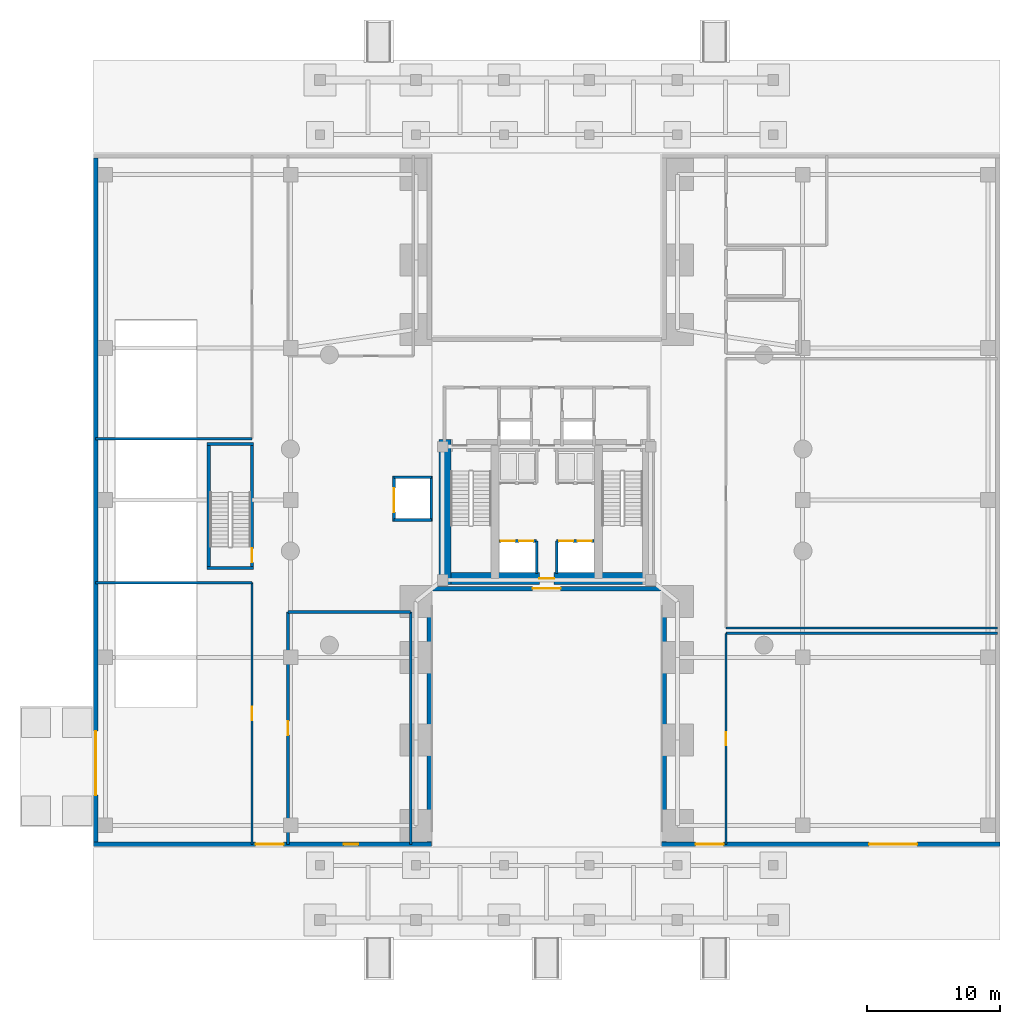
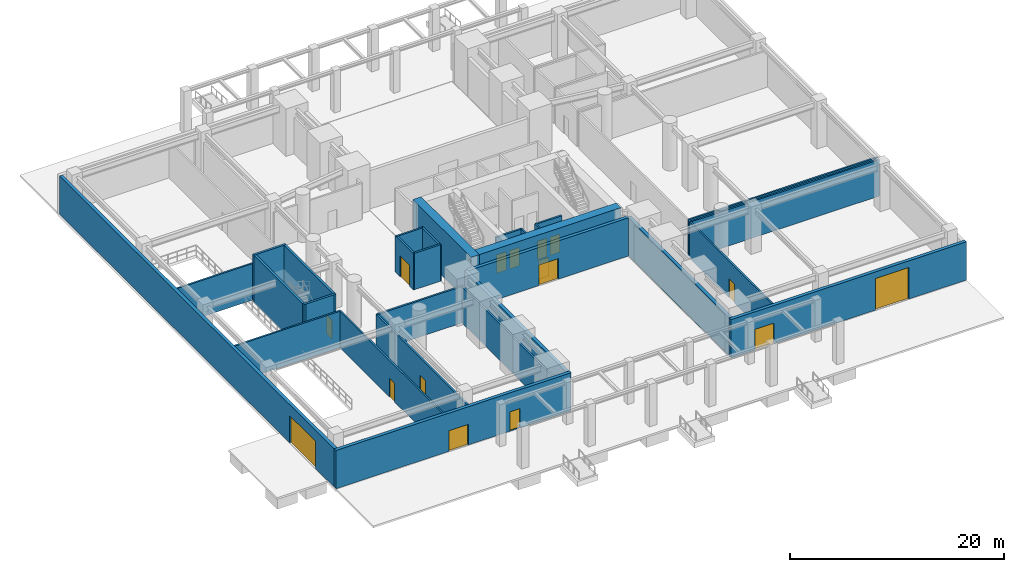
# One storey, part 4 of 11: 29 walls, 16 doors, 16 openings.
"""IFC4 building model written with IfcOpenShell, lengths in metres."""

from ifc_helpers import new_model, si_unit, direction, frame, frame_2d, origin, place, context, subcontext, project, spatial, rectangle, extrude, material, layer, layer_set, type_object, element, fill, save


model = new_model("IFC4")

# Units and contexts
model_context = context("Model", 3, precision=1e-05, world=origin(), true_north=direction((0.0, 1.0)))
body_context = subcontext(model_context, "Body", "Model", "MODEL_VIEW")
ifc_project = project(units=[si_unit("LENGTHUNIT", "METRE"), si_unit("AREAUNIT", "SQUARE_METRE"), si_unit("VOLUMEUNIT", "CUBIC_METRE"), si_unit("PLANEANGLEUNIT", "RADIAN"), si_unit("MASSUNIT", "GRAM", prefix="KILO"), si_unit("THERMODYNAMICTEMPERATUREUNIT", "KELVIN"), si_unit("POWERUNIT", "WATT")], contexts=[model_context])

# Site, building, storey
site_placement = place(None, origin())
site = spatial("IfcSite", under=ifc_project, at=site_placement, CompositionType="ELEMENT")
building_placement = place(site_placement, origin())
building = spatial("IfcBuilding", under=site, at=building_placement, Name="Ocrelia Relay Tower", CompositionType="ELEMENT")
storey_placement = place(building_placement, origin())
storey = spatial("IfcBuildingStorey", under=building, at=storey_placement, Name="L00", CompositionType="ELEMENT", Elevation=0.0)

# Wall, opening, door
ifc_material_1 = material(Name="Concrete C70/85", Category="concrete")
ifc_layer_1 = layer(ifc_material_1, 0.89990234375, Name="Concrete C70/85")
ifc_layer_set_1 = layer_set([ifc_layer_1], Name="Concrete C70/85")
wall_type_1 = type_object("IfcWallType", Name="CW-CORE-900", PredefinedType="SHEAR", material=ifc_layer_set_1)
wall_1_placement = place(storey_placement, frame((25.922119140625, 20.112060546875, 0.0), z_axis=(0.0, 0.0, 1.0), x_axis=(1.0, 0.0, 0.0)))
wall_1 = element("IfcWall", 1, at=wall_1_placement, inside=storey, type_object=wall_type_1, Name="L00 Core Shear Wall S", PredefinedType="SHEAR", context=body_context, shape_type="SweptSolid", body=[
    extrude(rectangle(XDim=16.165771484375, YDim=0.89990234375, at=frame_2d((8.0830078125, 0.0))), origin(), (0.0, 0.0, 1.0), 5.39990234375),
])
opening_1_placement = place(wall_1_placement, frame((7.528076171875, 0.0, 0.0)))
opening_1 = element("IfcOpeningElement", 2, at=opening_1_placement, cuts=wall_1, Name="Opening D-FD60", PredefinedType="OPENING", context=body_context, shape_type="SweptSolid", body=[
    extrude(rectangle(XDim=1.10009765625, YDim=2.14990234375, at=frame_2d((0.550048828125, 1.074951171875))), frame((0.0, 0.4599609375, 0.0), z_axis=(0.0, -1.0, 0.0), x_axis=(1.0, 0.0, 0.0)), (0.0, 0.0, 1.0), 0.919921875),
])
ifc_material_2 = material(Name="Timber-core 60-min acoustic fire door", Category="wood")
door_type_1 = type_object("IfcDoorType", Name="DR-LOBBY-FD60-1100", OperationType="NOTDEFINED", PredefinedType="DOOR", material=ifc_material_2)
door_1_placement = place(opening_1_placement, origin())
door_1 = element("IfcDoor", 3, at=door_1_placement, inside=storey, type_object=door_type_1, Name="L00 Core Lift Lobby South Fire Door", OperationType="SINGLE_SWING_LEFT", OverallHeight=2.14990234375, OverallWidth=1.10009765625, PredefinedType="DOOR", context=body_context, shape_type="SweptSolid", body=[
    extrude(rectangle(XDim=1.10009765625, YDim=2.14990234375, at=frame_2d((0.550048828125, 1.074951171875))), frame((0.0, 0.02490234375, 0.0), z_axis=(0.0, -1.0, 0.0), x_axis=(1.0, 0.0, 0.0)), (0.0, 0.0, 1.0), 0.050048828125),
])
fill(opening_1, door_1)

# Walls
wall_2_placement = place(storey_placement, frame((26.3720703125, 19.662109375, 0.0), z_axis=(0.0, 0.0, 1.0), x_axis=(0.0, 1.0, 0.0)))
element("IfcWall", 4, at=wall_2_placement, inside=storey, type_object=wall_type_1, Name="L00 Core Shear Wall W", PredefinedType="SHEAR", context=body_context, shape_type="SweptSolid", body=[
    extrude(rectangle(XDim=10.8759765625, YDim=0.89990234375, at=frame_2d((5.43798828125, 0.0))), origin(), (0.0, 0.0, 1.0), 5.39990234375),
])
ifc_material_3 = material(Name="Concrete C50/60", Category="concrete")
ifc_layer_2 = layer(ifc_material_3, 0.239990234375, Name="Concrete C50/60")
ifc_layer_set_2 = layer_set([ifc_layer_2], Name="Concrete C50/60")
wall_type_2 = type_object("IfcWallType", Name="CW-STAIR-240", PredefinedType="SHEAR", material=ifc_layer_set_2)
for number, where, z_axis, x_axis, name in (
    (5, (8.531982421875, 20.89208984375, 0.0), (0.0, 0.0, 1.0), (1.0, 0.0, 0.0), "L00 Stair ST3 Structural Shaft S Wall"),
    (6, (8.531982421875, 30.2080078125, 0.0), (0.0, 0.0, 1.0), (1.0, 0.0, 0.0), "L00 Stair ST3 Structural Shaft N Wall"),
):
    element("IfcWall", number, at=place(storey_placement, frame(where, z_axis=z_axis, x_axis=x_axis)), inside=storey, type_object=wall_type_2, Name=name, PredefinedType="SHEAR", context=body_context, shape_type="SweptSolid", body=[
        extrude(rectangle(XDim=3.49609375, YDim=0.239990234375, at=frame_2d((1.748046875, 0.0))), origin(), (0.0, 0.0, 1.0), 5.39990234375),
    ])
wall_3_placement = place(storey_placement, frame((8.652099609375, 20.77197265625, 0.0), z_axis=(0.0, 0.0, 1.0), x_axis=(0.0, 1.0, 0.0)))
element("IfcWall", 7, at=wall_3_placement, inside=storey, type_object=wall_type_2, Name="L00 Stair ST3 Structural Shaft W Wall", PredefinedType="SHEAR", context=body_context, shape_type="SweptSolid", body=[
    extrude(rectangle(XDim=9.555908203125, YDim=0.239990234375, at=frame_2d((4.77783203125, 0.0))), origin(), (0.0, 0.0, 1.0), 5.39990234375),
])

# Wall, opening, door
wall_4_placement = place(storey_placement, frame((11.907958984375, 20.77197265625, 0.0), z_axis=(0.0, 0.0, 1.0), x_axis=(0.0, 1.0, 0.0)))
wall_4 = element("IfcWall", 8, at=wall_4_placement, inside=storey, type_object=wall_type_2, Name="L00 Stair ST3 Structural Shaft E Wall", PredefinedType="SHEAR", context=body_context, shape_type="SweptSolid", body=[
    extrude(rectangle(XDim=9.555908203125, YDim=0.239990234375, at=frame_2d((4.77783203125, 0.0))), origin(), (0.0, 0.0, 1.0), 5.39990234375),
])
opening_2_placement = place(wall_4_placement, frame((0.550048828125, 0.0, 0.0)))
opening_2 = element("IfcOpeningElement", 9, at=opening_2_placement, cuts=wall_4, Name="Opening D-FD90", PredefinedType="OPENING", context=body_context, shape_type="SweptSolid", body=[
    extrude(rectangle(XDim=1.050048828125, YDim=2.14990234375, at=frame_2d((0.52490234375, 1.074951171875))), frame((0.0, 0.1298828125, 0.0), z_axis=(0.0, -1.0, 0.0), x_axis=(1.0, 0.0, 0.0)), (0.0, 0.0, 1.0), 0.260009765625),
])
ifc_material_4 = material(Name="Steel S355 90-min fire door", Category="steel")
door_type_2 = type_object("IfcDoorType", Name="DR-STAIR-FD90-1050", OperationType="NOTDEFINED", PredefinedType="DOOR", material=ifc_material_4)
door_2_placement = place(opening_2_placement, origin())
door_2 = element("IfcDoor", 10, at=door_2_placement, inside=storey, type_object=door_type_2, Name="L00 Stair ST3 Fire Door", OperationType="SINGLE_SWING_LEFT", OverallHeight=2.14990234375, OverallWidth=1.050048828125, PredefinedType="DOOR", context=body_context, shape_type="SweptSolid", body=[
    extrude(rectangle(XDim=1.050048828125, YDim=2.14990234375, at=frame_2d((0.52490234375, 1.074951171875))), frame((0.0, 0.02490234375, 0.0), z_axis=(0.0, -1.0, 0.0), x_axis=(1.0, 0.0, 0.0)), (0.0, 0.0, 1.0), 0.050048828125),
])
fill(opening_2, door_2)

ifc_material_5 = material(Name="Gypsum Fireboard Partition EI60", Category="gypsum")
ifc_layer_3 = layer(ifc_material_5, 0.179931640625, Name="Gypsum Fireboard Partition EI60")
ifc_layer_set_3 = layer_set([ifc_layer_3], Name="Gypsum Fireboard Partition EI60")
wall_type_3 = type_object("IfcWallType", Name="W-CORR-EI60-180", PredefinedType="PARTITIONING", material=ifc_layer_set_3)
wall_5_placement = place(storey_placement, frame((11.89990234375, 0.179931640625, 0.0), z_axis=(0.0, 0.0, 1.0), x_axis=(0.0, 1.0, 0.0)))
wall_5 = element("IfcWall", 11, at=wall_5_placement, inside=storey, type_object=wall_type_3, Name="L00 South Carrier Fiber Meet-Me Hall E Partition", PredefinedType="PARTITIONING", context=body_context, shape_type="SweptSolid", body=[
    extrude(rectangle(XDim=19.6201171875, YDim=0.179931640625, at=frame_2d((9.81005859375, 0.0))), origin(), (0.0, 0.0, 1.0), 4.159912109375),
])
opening_3_placement = place(wall_5_placement, frame((9.31005859375, 0.0, 0.0)))
opening_3 = element("IfcOpeningElement", 12, at=opening_3_placement, cuts=wall_5, Name="Opening D-RM100", PredefinedType="OPENING", context=body_context, shape_type="SweptSolid", body=[
    extrude(rectangle(XDim=1.0, YDim=2.14990234375, at=frame_2d((0.5, 1.074951171875))), frame((0.0, 0.10009765625, 0.0), z_axis=(0.0, -1.0, 0.0), x_axis=(1.0, 0.0, 0.0)), (0.0, 0.0, 1.0), 0.199951171875),
])
ifc_material_6 = material(Name="Acoustic oak veneer fire door", Category="wood")
door_type_3 = type_object("IfcDoorType", Name="DR-ROOM-FD60-1000", OperationType="NOTDEFINED", PredefinedType="DOOR", material=ifc_material_6)
door_3_placement = place(opening_3_placement, origin())
door_3 = element("IfcDoor", 13, at=door_3_placement, inside=storey, type_object=door_type_3, Name="L00 South Carrier Fiber Meet-Me Hall Door", OperationType="SINGLE_SWING_LEFT", OverallHeight=2.14990234375, OverallWidth=1.0, PredefinedType="DOOR", context=body_context, shape_type="SweptSolid", body=[
    extrude(rectangle(XDim=1.0, YDim=2.14990234375, at=frame_2d((0.5, 1.074951171875))), frame((0.0, 0.02490234375, 0.0), z_axis=(0.0, -1.0, 0.0), x_axis=(1.0, 0.0, 0.0)), (0.0, 0.0, 1.0), 0.050048828125),
])
fill(opening_3, door_3)

# Walls
for number, where, z_axis, x_axis, name in (
    (14, (11.89990234375, 19.800048828125, 0.0), (0.0, 0.0, 1.0), (-1.0, 0.0, 0.0), "L00 South Carrier Fiber Meet-Me Hall N Partition"),
    (15, (0.179931640625, 30.60009765625, 0.0), (0.0, 0.0, 1.0), (1.0, 0.0, 0.0), "L00 Security Screening Reception S Partition"),
):
    element("IfcWall", number, at=place(storey_placement, frame(where, z_axis=z_axis, x_axis=x_axis)), inside=storey, type_object=wall_type_3, Name=name, PredefinedType="PARTITIONING", context=body_context, shape_type="SweptSolid", body=[
        extrude(rectangle(XDim=11.719970703125, YDim=0.179931640625, at=frame_2d((5.85986328125, 0.0))), origin(), (0.0, 0.0, 1.0), 4.159912109375),
    ])

# Wall, opening, door
wall_6_placement = place(storey_placement, frame((47.449951171875, 16.0, 0.0), z_axis=(0.0, 0.0, 1.0), x_axis=(0.0, -1.0, 0.0)))
wall_6 = element("IfcWall", 16, at=wall_6_placement, inside=storey, type_object=wall_type_3, Name="L00 Loading Dock and Equipment Receiving Bay W Partition", PredefinedType="PARTITIONING", context=body_context, shape_type="SweptSolid", body=[
    extrude(rectangle(XDim=15.820068359375, YDim=0.179931640625, at=frame_2d((7.91015625, 0.0))), origin(), (0.0, 0.0, 1.0), 4.159912109375),
])
opening_4_placement = place(wall_6_placement, frame((7.409912109375, 0.0, 0.0)))
opening_4 = element("IfcOpeningElement", 17, at=opening_4_placement, cuts=wall_6, Name="Opening D-RM100", PredefinedType="OPENING", context=body_context, shape_type="SweptSolid", body=[
    extrude(rectangle(XDim=1.0, YDim=2.14990234375, at=frame_2d((0.5, 1.074951171875))), frame((0.0, 0.10009765625, 0.0), z_axis=(0.0, -1.0, 0.0), x_axis=(1.0, 0.0, 0.0)), (0.0, 0.0, 1.0), 0.199951171875),
])
door_4_placement = place(opening_4_placement, origin())
door_4 = element("IfcDoor", 18, at=door_4_placement, inside=storey, type_object=door_type_3, Name="L00 Loading Dock and Equipment Receiving Bay Door", OperationType="SINGLE_SWING_RIGHT", OverallHeight=2.14990234375, OverallWidth=1.0, PredefinedType="DOOR", context=body_context, shape_type="SweptSolid", body=[
    extrude(rectangle(XDim=1.0, YDim=2.14990234375, at=frame_2d((0.5, 1.074951171875))), frame((0.0, 0.02490234375, 0.0), z_axis=(0.0, -1.0, 0.0), x_axis=(1.0, 0.0, 0.0)), (0.0, 0.0, 1.0), 0.050048828125),
])
fill(opening_4, door_4)

# Walls
for number, where, z_axis, x_axis, name in (
    (19, (67.820068359375, 16.0, 0.0), (0.0, 0.0, 1.0), (-1.0, 0.0, 0.0), "L00 Loading Dock and Equipment Receiving Bay N Partition"),
    (20, (47.449951171875, 16.39990234375, 0.0), (0.0, 0.0, 1.0), (1.0, 0.0, 0.0), "L00 North Carrier Optical Hall S Partition"),
):
    element("IfcWall", number, at=place(storey_placement, frame(where, z_axis=z_axis, x_axis=x_axis)), inside=storey, type_object=wall_type_3, Name=name, PredefinedType="PARTITIONING", context=body_context, shape_type="SweptSolid", body=[
        extrude(rectangle(XDim=20.3701171875, YDim=0.179931640625, at=frame_2d((10.18505859375, 0.0))), origin(), (0.0, 0.0, 1.0), 4.159912109375),
    ])

# Wall, openings, doors
ifc_material_7 = material(Name="Precast concrete C40/50 with oxide terracotta", Category="masonry")
ifc_layer_4 = layer(ifc_material_7, 0.35009765625, Name="Precast concrete C40/50 with oxide terracotta")
ifc_layer_set_4 = layer_set([ifc_layer_4], Name="Precast concrete C40/50 with oxide terracotta")
wall_type_4 = type_object("IfcWallType", Name="W-EXT-POD-350", PredefinedType="SOLIDWALL", material=ifc_layer_set_4)
wall_7_placement = place(storey_placement, frame((25.3798828125, 0.179931640625, 0.0), z_axis=(0.0, 0.0, 1.0), x_axis=(-1.0, 0.0, 0.0)))
wall_7 = element("IfcWall", 21, at=wall_7_placement, inside=storey, type_object=wall_type_4, Name="L00 Oxide Terracotta Podium Wall WS", PredefinedType="SOLIDWALL", context=body_context, shape_type="SweptSolid", body=[
    extrude(rectangle(XDim=25.369873046875, YDim=0.35009765625, at=frame_2d((12.68505859375, 0.0))), origin(), (0.0, 0.0, 1.0), 4.360107421875),
])
opening_5_placement = place(wall_7_placement, frame((11.10009765625, 0.0, 0.0)))
opening_5 = element("IfcOpeningElement", 22, at=opening_5_placement, cuts=wall_7, Name="Opening ED-01", PredefinedType="OPENING", context=body_context, shape_type="SweptSolid", body=[
    extrude(rectangle(XDim=2.10009765625, YDim=2.35009765625, at=frame_2d((1.050048828125, 1.175048828125))), frame((0.0, 0.18505859375, 0.0), z_axis=(0.0, -1.0, 0.0), x_axis=(1.0, 0.0, 0.0)), (0.0, 0.0, 1.0), 0.3701171875),
])
opening_6_placement = place(wall_7_placement, frame((5.5, 0.0, 0.0)))
opening_6 = element("IfcOpeningElement", 23, at=opening_6_placement, cuts=wall_7, Name="Opening ED-FCR", PredefinedType="OPENING", context=body_context, shape_type="SweptSolid", body=[
    extrude(rectangle(XDim=1.10009765625, YDim=2.199951171875, at=frame_2d((0.550048828125, 1.10009765625))), frame((0.0, 0.18505859375, 0.0), z_axis=(0.0, -1.0, 0.0), x_axis=(1.0, 0.0, 0.0)), (0.0, 0.0, 1.0), 0.3701171875),
])
ifc_material_8 = material(Name="Anodised bronze aluminium and safety glass", Category="aluminium")
door_type_4 = type_object("IfcDoorType", Name="DR-EXT-EXIT-2100", OperationType="DOUBLE_DOOR_SINGLE_SWING", PredefinedType="DOOR", material=ifc_material_8)
door_5_placement = place(opening_5_placement, origin())
door_5 = element("IfcDoor", 24, at=door_5_placement, inside=storey, type_object=door_type_4, Name="Ground South-West Pedestrian Final Exit Door ED-01", OperationType="DOUBLE_DOOR_SINGLE_SWING", OverallHeight=2.35009765625, OverallWidth=2.10009765625, PredefinedType="DOOR", context=body_context, shape_type="SweptSolid", body=[
    extrude(rectangle(XDim=2.10009765625, YDim=2.35009765625, at=frame_2d((1.050048828125, 1.175048828125))), frame((0.0, 0.02490234375, 0.0), z_axis=(0.0, -1.0, 0.0), x_axis=(1.0, 0.0, 0.0)), (0.0, 0.0, 1.0), 0.050048828125),
])
fill(opening_5, door_5)
ifc_material_9 = material(Name="Painted galvanised steel fire door", Category="steel")
door_type_5 = type_object("IfcDoorType", Name="DR-EXT-FCR-1100", OperationType="NOTDEFINED", PredefinedType="DOOR", material=ifc_material_9)
door_6_placement = place(opening_6_placement, origin())
door_6 = element("IfcDoor", 25, at=door_6_placement, inside=storey, type_object=door_type_5, Name="Fire Command Room Street Access Door", OperationType="SINGLE_SWING_RIGHT", OverallHeight=2.199951171875, OverallWidth=1.10009765625, PredefinedType="DOOR", context=body_context, shape_type="SweptSolid", body=[
    extrude(rectangle(XDim=1.10009765625, YDim=2.199951171875, at=frame_2d((0.550048828125, 1.10009765625))), frame((0.0, 0.02490234375, 0.0), z_axis=(0.0, -1.0, 0.0), x_axis=(1.0, 0.0, 0.0)), (0.0, 0.0, 1.0), 0.050048828125),
])
fill(opening_6, door_6)

# Wall, opening, door
wall_8_placement = place(storey_placement, frame((0.179931640625, 0.360107421875, 0.0), z_axis=(0.0, 0.0, 1.0), x_axis=(0.0, 1.0, 0.0)))
wall_8 = element("IfcWall", 26, at=wall_8_placement, inside=storey, type_object=wall_type_4, Name="L00 Oxide Terracotta Podium Wall WW", PredefinedType="SOLIDWALL", context=body_context, shape_type="SweptSolid", body=[
    extrude(rectangle(XDim=51.27978515625, YDim=0.35009765625, at=frame_2d((25.639892578125, 0.0))), origin(), (0.0, 0.0, 1.0), 4.360107421875),
])
opening_7_placement = place(wall_8_placement, frame((3.5, 0.0, 0.0)))
opening_7 = element("IfcOpeningElement", 27, at=opening_7_placement, cuts=wall_8, Name="Opening VG-01", PredefinedType="OPENING", context=body_context, shape_type="SweptSolid", body=[
    extrude(rectangle(XDim=4.800048828125, YDim=3.10009765625, at=frame_2d((2.39990234375, 1.550048828125))), frame((0.0, 0.18505859375, 0.0), z_axis=(0.0, -1.0, 0.0), x_axis=(1.0, 0.0, 0.0)), (0.0, 0.0, 1.0), 0.3701171875),
])
ifc_material_10 = material(Name="Perforated aluminium vehicle security grille", Category="aluminium")
door_type_6 = type_object("IfcDoorType", Name="DR-RAMP-GATE", OperationType="ROLLINGUP", PredefinedType="GATE", material=ifc_material_10)
door_7_placement = place(opening_7_placement, origin())
door_7 = element("IfcDoor", 28, at=door_7_placement, inside=storey, type_object=door_type_6, Name="Basement Car Park Vehicle Ramp Portal Gate", OperationType="ROLLINGUP", OverallHeight=3.10009765625, OverallWidth=4.800048828125, PredefinedType="GATE", context=body_context, shape_type="SweptSolid", body=[
    extrude(rectangle(XDim=4.800048828125, YDim=3.10009765625, at=frame_2d((2.39990234375, 1.550048828125))), frame((0.0, 0.02490234375, 0.0), z_axis=(0.0, -1.0, 0.0), x_axis=(1.0, 0.0, 0.0)), (0.0, 0.0, 1.0), 0.050048828125),
])
fill(opening_7, door_7)

# Wall, openings, doors
wall_9_placement = place(storey_placement, frame((67.989990234375, 0.179931640625, 0.0), z_axis=(0.0, 0.0, 1.0), x_axis=(-1.0, 0.0, 0.0)))
wall_9 = element("IfcWall", 29, at=wall_9_placement, inside=storey, type_object=wall_type_4, Name="L00 Oxide Terracotta Podium Wall ES", PredefinedType="SOLIDWALL", context=body_context, shape_type="SweptSolid", body=[
    extrude(rectangle(XDim=25.369873046875, YDim=0.35009765625, at=frame_2d((12.68505859375, 0.0))), origin(), (0.0, 0.0, 1.0), 4.360107421875),
])
opening_8_placement = place(wall_9_placement, frame((20.719970703125, 0.0, 0.0)))
opening_8 = element("IfcOpeningElement", 30, at=opening_8_placement, cuts=wall_9, Name="Opening ED-04", PredefinedType="OPENING", context=body_context, shape_type="SweptSolid", body=[
    extrude(rectangle(XDim=2.10009765625, YDim=2.35009765625, at=frame_2d((1.050048828125, 1.175048828125))), frame((0.0, 0.18505859375, 0.0), z_axis=(0.0, -1.0, 0.0), x_axis=(1.0, 0.0, 0.0)), (0.0, 0.0, 1.0), 0.3701171875),
])
opening_9_placement = place(wall_9_placement, frame((6.199951171875, 0.0, 0.0)))
opening_9 = element("IfcOpeningElement", 31, at=opening_9_placement, cuts=wall_9, Name="Opening DSH-01", PredefinedType="OPENING", context=body_context, shape_type="SweptSolid", body=[
    extrude(rectangle(XDim=3.60009765625, YDim=3.60009765625, at=frame_2d((1.800048828125, 1.800048828125))), frame((0.0, 0.18505859375, 0.0), z_axis=(0.0, -1.0, 0.0), x_axis=(1.0, 0.0, 0.0)), (0.0, 0.0, 1.0), 0.3701171875),
])
ifc_material_11 = material(Name="Insulated galvanised steel roller shutter", Category="steel")
door_type_7 = type_object("IfcDoorType", Name="DR-DOCK-SHUTTER", OperationType="ROLLINGUP", PredefinedType="DOOR", material=ifc_material_11)
door_8_placement = place(opening_9_placement, origin())
door_8 = element("IfcDoor", 32, at=door_8_placement, inside=storey, type_object=door_type_7, Name="Loading Dock Overhead Roller Shutter", OperationType="ROLLINGUP", OverallHeight=3.60009765625, OverallWidth=3.60009765625, PredefinedType="DOOR", context=body_context, shape_type="SweptSolid", body=[
    extrude(rectangle(XDim=3.60009765625, YDim=3.60009765625, at=frame_2d((1.800048828125, 1.800048828125))), frame((0.0, 0.02490234375, 0.0), z_axis=(0.0, -1.0, 0.0), x_axis=(1.0, 0.0, 0.0)), (0.0, 0.0, 1.0), 0.050048828125),
])
fill(opening_9, door_8)
door_9_placement = place(opening_8_placement, origin())
door_9 = element("IfcDoor", 33, at=door_9_placement, inside=storey, type_object=door_type_4, Name="Ground South-East Pedestrian Final Exit Door ED-04", OperationType="DOUBLE_DOOR_SINGLE_SWING", OverallHeight=2.35009765625, OverallWidth=2.10009765625, PredefinedType="DOOR", context=body_context, shape_type="SweptSolid", body=[
    extrude(rectangle(XDim=2.10009765625, YDim=2.35009765625, at=frame_2d((1.050048828125, 1.175048828125))), frame((0.0, 0.02490234375, 0.0), z_axis=(0.0, -1.0, 0.0), x_axis=(1.0, 0.0, 0.0)), (0.0, 0.0, 1.0), 0.050048828125),
])
fill(opening_8, door_9)

# Walls
for number, where, z_axis, x_axis, name in (
    (34, (25.199951171875, 19.35009765625, 0.0), (0.0, 0.0, 1.0), (0.0, -1.0, 0.0), "L00 Oxide Terracotta Podium Wall AWS"),
    (35, (42.800048828125, 0.360107421875, 0.0), (0.0, 0.0, 1.0), (0.0, 1.0, 0.0), "L00 Oxide Terracotta Podium Wall AES"),
):
    element("IfcWall", number, at=place(storey_placement, frame(where, z_axis=z_axis, x_axis=x_axis)), inside=storey, type_object=wall_type_4, Name=name, PredefinedType="SOLIDWALL", context=body_context, shape_type="SweptSolid", body=[
        extrude(rectangle(XDim=18.989990234375, YDim=0.35009765625, at=frame_2d((9.4951171875, 0.0))), origin(), (0.0, 0.0, 1.0), 4.360107421875),
    ])

# Wall, opening, door
wall_10_placement = place(storey_placement, frame((42.6201171875, 19.35009765625, 0.0), z_axis=(0.0, 0.0, 1.0), x_axis=(-1.0, 0.0, 0.0)))
wall_10 = element("IfcWall", 36, at=wall_10_placement, inside=storey, type_object=wall_type_4, Name="L00 Oxide Terracotta Podium Wall CS", PredefinedType="SOLIDWALL", context=body_context, shape_type="SweptSolid", body=[
    extrude(rectangle(XDim=17.240234375, YDim=0.35009765625, at=frame_2d((8.6201171875, 0.0))), origin(), (0.0, 0.0, 1.0), 4.360107421875),
])
opening_10_placement = place(wall_10_placement, frame((7.570068359375, 0.0, 0.0)))
opening_10 = element("IfcOpeningElement", 37, at=opening_10_placement, cuts=wall_10, Name="Opening ED-02", PredefinedType="OPENING", context=body_context, shape_type="SweptSolid", body=[
    extrude(rectangle(XDim=2.10009765625, YDim=2.35009765625, at=frame_2d((1.050048828125, 1.175048828125))), frame((0.0, 0.18505859375, 0.0), z_axis=(0.0, -1.0, 0.0), x_axis=(1.0, 0.0, 0.0)), (0.0, 0.0, 1.0), 0.3701171875),
])
door_10_placement = place(opening_10_placement, origin())
door_10 = element("IfcDoor", 38, at=door_10_placement, inside=storey, type_object=door_type_4, Name="Portal Arch South Lobby Final Exit Door ED-02", OperationType="DOUBLE_DOOR_SINGLE_SWING", OverallHeight=2.35009765625, OverallWidth=2.10009765625, PredefinedType="DOOR", context=body_context, shape_type="SweptSolid", body=[
    extrude(rectangle(XDim=2.10009765625, YDim=2.35009765625, at=frame_2d((1.050048828125, 1.175048828125))), frame((0.0, 0.02490234375, 0.0), z_axis=(0.0, -1.0, 0.0), x_axis=(1.0, 0.0, 0.0)), (0.0, 0.0, 1.0), 0.050048828125),
])
fill(opening_10, door_10)

# Wall, openings, doors
ifc_layer_5 = layer(ifc_material_3, 0.199951171875, Name="Concrete C50/60")
ifc_layer_set_5 = layer_set([ifc_layer_5], Name="Concrete C50/60")
wall_type_5 = type_object("IfcWallType", Name="W-SHAFT-EI120-200", PredefinedType="SOLIDWALL", material=ifc_layer_set_5)
wall_11_placement = place(storey_placement, frame((30.43994140625, 22.919921875, 0.0), z_axis=(0.0, 0.0, 1.0), x_axis=(1.0, 0.0, 0.0)))
wall_11 = element("IfcWall", 39, at=wall_11_placement, inside=storey, type_object=wall_type_5, Name="L00 Low-Rise Lift Hoistway Wall W", PredefinedType="SOLIDWALL", context=body_context, shape_type="SweptSolid", body=[
    extrude(rectangle(XDim=2.81005859375, YDim=0.199951171875, at=frame_2d((1.405029296875, 0.0))), origin(), (0.0, 0.0, 1.0), 4.159912109375),
])
opening_11_placement = place(wall_11_placement, frame((0.1201171875, 0.0, 0.0)))
opening_11 = element("IfcOpeningElement", 40, at=opening_11_placement, cuts=wall_11, Name="Opening LD-PL1", PredefinedType="OPENING", context=body_context, shape_type="SweptSolid", body=[
    extrude(rectangle(XDim=1.050048828125, YDim=2.10009765625, at=frame_2d((0.52490234375, 1.050048828125))), frame((0.0, 0.10986328125, 0.0), z_axis=(0.0, -1.0, 0.0), x_axis=(1.0, 0.0, 0.0)), (0.0, 0.0, 1.0), 0.219970703125),
])
opening_12_placement = place(wall_11_placement, frame((1.5, 0.0, 0.0)))
opening_12 = element("IfcOpeningElement", 41, at=opening_12_placement, cuts=wall_11, Name="Opening LD-PL2", PredefinedType="OPENING", context=body_context, shape_type="SweptSolid", body=[
    extrude(rectangle(XDim=1.050048828125, YDim=2.10009765625, at=frame_2d((0.52490234375, 1.050048828125))), frame((0.0, 0.10986328125, 0.0), z_axis=(0.0, -1.0, 0.0), x_axis=(1.0, 0.0, 0.0)), (0.0, 0.0, 1.0), 0.219970703125),
])
ifc_material_12 = material(Name="Brushed stainless steel S355 lift landing door", Category="steel")
door_type_8 = type_object("IfcDoorType", Name="DR-LIFT-LAND-1050", OperationType="DOUBLE_DOOR_SLIDING", PredefinedType="USERDEFINED", material=ifc_material_12)
door_11_placement = place(opening_11_placement, origin())
door_11 = element("IfcDoor", 42, at=door_11_placement, inside=storey, type_object=door_type_8, Name="L00 Passenger Lift PL1 Sliding Landing Door", ObjectType="LANDING DOOR", OperationType="DOUBLE_DOOR_SLIDING", OverallHeight=2.10009765625, OverallWidth=1.050048828125, PredefinedType="USERDEFINED", context=body_context, shape_type="SweptSolid", body=[
    extrude(rectangle(XDim=1.050048828125, YDim=2.10009765625, at=frame_2d((0.52490234375, 1.050048828125))), frame((0.0, 0.02490234375, 0.0), z_axis=(0.0, -1.0, 0.0), x_axis=(1.0, 0.0, 0.0)), (0.0, 0.0, 1.0), 0.050048828125),
])
fill(opening_11, door_11)
door_12_placement = place(opening_12_placement, origin())
door_12 = element("IfcDoor", 43, at=door_12_placement, inside=storey, type_object=door_type_8, Name="L00 Passenger Lift PL2 Sliding Landing Door", ObjectType="LANDING DOOR", OperationType="DOUBLE_DOOR_SLIDING", OverallHeight=2.10009765625, OverallWidth=1.050048828125, PredefinedType="USERDEFINED", context=body_context, shape_type="SweptSolid", body=[
    extrude(rectangle(XDim=1.050048828125, YDim=2.10009765625, at=frame_2d((0.52490234375, 1.050048828125))), frame((0.0, 0.02490234375, 0.0), z_axis=(0.0, -1.0, 0.0), x_axis=(1.0, 0.0, 0.0)), (0.0, 0.0, 1.0), 0.050048828125),
])
fill(opening_12, door_12)

# Wall
wall_12_placement = place(storey_placement, frame((33.25, 20.5, 0.0), z_axis=(0.0, 0.0, 1.0), x_axis=(0.0, 1.0, 0.0)))
element("IfcWall", 44, at=wall_12_placement, inside=storey, type_object=wall_type_5, Name="L00 Low-Rise Lift Throat Wall W", PredefinedType="SOLIDWALL", context=body_context, shape_type="SweptSolid", body=[
    extrude(rectangle(XDim=2.419921875, YDim=0.179931640625, at=frame_2d((1.2099609375, 0.0))), origin(), (0.0, 0.0, 1.0), 4.159912109375),
])

# Wall, openings, doors
wall_13_placement = place(storey_placement, frame((34.75, 22.919921875, 0.0), z_axis=(0.0, 0.0, 1.0), x_axis=(1.0, 0.0, 0.0)))
wall_13 = element("IfcWall", 45, at=wall_13_placement, inside=storey, type_object=wall_type_5, Name="L00 Low-Rise Lift Hoistway Wall E", PredefinedType="SOLIDWALL", context=body_context, shape_type="SweptSolid", body=[
    extrude(rectangle(XDim=2.81005859375, YDim=0.199951171875, at=frame_2d((1.405029296875, 0.0))), origin(), (0.0, 0.0, 1.0), 4.159912109375),
])
opening_13_placement = place(wall_13_placement, frame((0.18994140625, 0.0, 0.0)))
opening_13 = element("IfcOpeningElement", 46, at=opening_13_placement, cuts=wall_13, Name="Opening LD-PL3", PredefinedType="OPENING", context=body_context, shape_type="SweptSolid", body=[
    extrude(rectangle(XDim=1.050048828125, YDim=2.10009765625, at=frame_2d((0.52490234375, 1.050048828125))), frame((0.0, 0.10986328125, 0.0), z_axis=(0.0, -1.0, 0.0), x_axis=(1.0, 0.0, 0.0)), (0.0, 0.0, 1.0), 0.219970703125),
])
opening_14_placement = place(wall_13_placement, frame((1.570068359375, 0.0, 0.0)))
opening_14 = element("IfcOpeningElement", 47, at=opening_14_placement, cuts=wall_13, Name="Opening LD-PL4", PredefinedType="OPENING", context=body_context, shape_type="SweptSolid", body=[
    extrude(rectangle(XDim=1.050048828125, YDim=2.10009765625, at=frame_2d((0.52490234375, 1.050048828125))), frame((0.0, 0.10986328125, 0.0), z_axis=(0.0, -1.0, 0.0), x_axis=(1.0, 0.0, 0.0)), (0.0, 0.0, 1.0), 0.219970703125),
])
door_13_placement = place(opening_13_placement, origin())
door_13 = element("IfcDoor", 48, at=door_13_placement, inside=storey, type_object=door_type_8, Name="L00 Passenger Lift PL3 Sliding Landing Door", ObjectType="LANDING DOOR", OperationType="DOUBLE_DOOR_SLIDING", OverallHeight=2.10009765625, OverallWidth=1.050048828125, PredefinedType="USERDEFINED", context=body_context, shape_type="SweptSolid", body=[
    extrude(rectangle(XDim=1.050048828125, YDim=2.10009765625, at=frame_2d((0.52490234375, 1.050048828125))), frame((0.0, 0.02490234375, 0.0), z_axis=(0.0, -1.0, 0.0), x_axis=(1.0, 0.0, 0.0)), (0.0, 0.0, 1.0), 0.050048828125),
])
fill(opening_13, door_13)
door_14_placement = place(opening_14_placement, origin())
door_14 = element("IfcDoor", 49, at=door_14_placement, inside=storey, type_object=door_type_8, Name="L00 Passenger Lift PL4 Sliding Landing Door", ObjectType="LANDING DOOR", OperationType="DOUBLE_DOOR_SLIDING", OverallHeight=2.10009765625, OverallWidth=1.050048828125, PredefinedType="USERDEFINED", context=body_context, shape_type="SweptSolid", body=[
    extrude(rectangle(XDim=1.050048828125, YDim=2.10009765625, at=frame_2d((0.52490234375, 1.050048828125))), frame((0.0, 0.02490234375, 0.0), z_axis=(0.0, -1.0, 0.0), x_axis=(1.0, 0.0, 0.0)), (0.0, 0.0, 1.0), 0.050048828125),
])
fill(opening_14, door_14)

# Wall
wall_14_placement = place(storey_placement, frame((34.75, 20.5, 0.0), z_axis=(0.0, 0.0, 1.0), x_axis=(0.0, 1.0, 0.0)))
element("IfcWall", 50, at=wall_14_placement, inside=storey, type_object=wall_type_5, Name="L00 Low-Rise Lift Throat Wall E", PredefinedType="SOLIDWALL", context=body_context, shape_type="SweptSolid", body=[
    extrude(rectangle(XDim=2.419921875, YDim=0.179931640625, at=frame_2d((1.2099609375, 0.0))), origin(), (0.0, 0.0, 1.0), 4.159912109375),
])

# Wall, opening, door
wall_15_placement = place(storey_placement, frame((22.550048828125, 24.39990234375, 0.0), z_axis=(0.0, 0.0, 1.0), x_axis=(0.0, 1.0, 0.0)))
wall_15 = element("IfcWall", 51, at=wall_15_placement, inside=storey, type_object=wall_type_5, Name="L00 Goods Lift Shaft West Wall", PredefinedType="SOLIDWALL", context=body_context, shape_type="SweptSolid", body=[
    extrude(rectangle(XDim=3.400146484375, YDim=0.199951171875, at=frame_2d((1.7001953125, 0.0))), origin(), (0.0, 0.0, 1.0), 4.159912109375),
])
opening_15_placement = place(wall_15_placement, frame((0.699951171875, 0.0, 0.0)))
opening_15 = element("IfcOpeningElement", 52, at=opening_15_placement, cuts=wall_15, Name="Opening LD-GL1", PredefinedType="OPENING", context=body_context, shape_type="SweptSolid", body=[
    extrude(rectangle(XDim=1.800048828125, YDim=2.39990234375, at=frame_2d((0.89990234375, 1.199951171875))), frame((0.0, 0.10986328125, 0.0), z_axis=(0.0, -1.0, 0.0), x_axis=(1.0, 0.0, 0.0)), (0.0, 0.0, 1.0), 0.219970703125),
])
ifc_material_13 = material(Name="Heavy-duty stainless steel S355 goods landing door", Category="steel")
door_type_9 = type_object("IfcDoorType", Name="DR-GOODS-LAND-1800", OperationType="DOUBLE_DOOR_SLIDING", PredefinedType="USERDEFINED", material=ifc_material_13)
door_15_placement = place(opening_15_placement, origin())
door_15 = element("IfcDoor", 53, at=door_15_placement, inside=storey, type_object=door_type_9, Name="L00 Goods Lift GL1 Sliding Landing Door", ObjectType="LANDING DOOR", OperationType="DOUBLE_DOOR_SLIDING", OverallHeight=2.39990234375, OverallWidth=1.800048828125, PredefinedType="USERDEFINED", context=body_context, shape_type="SweptSolid", body=[
    extrude(rectangle(XDim=1.800048828125, YDim=2.39990234375, at=frame_2d((0.89990234375, 1.199951171875))), frame((0.0, 0.02490234375, 0.0), z_axis=(0.0, -1.0, 0.0), x_axis=(1.0, 0.0, 0.0)), (0.0, 0.0, 1.0), 0.050048828125),
])
fill(opening_15, door_15)

# Walls
wall_16_placement = place(storey_placement, frame((25.35009765625, 24.39990234375, 0.0), z_axis=(0.0, 0.0, 1.0), x_axis=(0.0, 1.0, 0.0)))
element("IfcWall", 54, at=wall_16_placement, inside=storey, type_object=wall_type_5, Name="L00 Goods Lift Shaft E Wall", PredefinedType="SOLIDWALL", context=body_context, shape_type="SweptSolid", body=[
    extrude(rectangle(XDim=3.400146484375, YDim=0.199951171875, at=frame_2d((1.7001953125, 0.0))), origin(), (0.0, 0.0, 1.0), 4.159912109375),
])
for number, where, z_axis, x_axis, name in (
    (55, (22.550048828125, 24.5, 0.0), (0.0, 0.0, 1.0), (1.0, 0.0, 0.0), "L00 Goods Lift Shaft S Wall"),
    (56, (22.550048828125, 27.699951171875, 0.0), (0.0, 0.0, 1.0), (1.0, 0.0, 0.0), "L00 Goods Lift Shaft N Wall"),
):
    element("IfcWall", number, at=place(storey_placement, frame(where, z_axis=z_axis, x_axis=x_axis)), inside=storey, type_object=wall_type_5, Name=name, PredefinedType="SOLIDWALL", context=body_context, shape_type="SweptSolid", body=[
        extrude(rectangle(XDim=2.800048828125, YDim=0.199951171875, at=frame_2d((1.39990234375, 0.0))), origin(), (0.0, 0.0, 1.0), 4.159912109375),
    ])

# Wall, opening, door
wall_17_placement = place(storey_placement, frame((14.60009765625, 17.60009765625, 0.0), z_axis=(0.0, 0.0, 1.0), x_axis=(0.0, -1.0, 0.0)))
wall_17 = element("IfcWall", 57, at=wall_17_placement, inside=storey, type_object=wall_type_5, Name="L00 Fire Command Room W Partition", PredefinedType="SOLIDWALL", context=body_context, shape_type="SweptSolid", body=[
    extrude(rectangle(XDim=17.420166015625, YDim=0.199951171875, at=frame_2d((8.7099609375, 0.0))), origin(), (0.0, 0.0, 1.0), 4.159912109375),
])
opening_16_placement = place(wall_17_placement, frame((8.18505859375, 0.0, 0.0)))
opening_16 = element("IfcOpeningElement", 58, at=opening_16_placement, cuts=wall_17, Name="Opening D-FD90", PredefinedType="OPENING", context=body_context, shape_type="SweptSolid", body=[
    extrude(rectangle(XDim=1.050048828125, YDim=2.14990234375, at=frame_2d((0.52490234375, 1.074951171875))), frame((0.0, 0.10986328125, 0.0), z_axis=(0.0, -1.0, 0.0), x_axis=(1.0, 0.0, 0.0)), (0.0, 0.0, 1.0), 0.219970703125),
])
door_16_placement = place(opening_16_placement, origin())
door_16 = element("IfcDoor", 59, at=door_16_placement, inside=storey, type_object=door_type_2, Name="L00 Fire Command Room Door", OperationType="SINGLE_SWING_RIGHT", OverallHeight=2.14990234375, OverallWidth=1.050048828125, PredefinedType="DOOR", context=body_context, shape_type="SweptSolid", body=[
    extrude(rectangle(XDim=1.050048828125, YDim=2.14990234375, at=frame_2d((0.52490234375, 1.074951171875))), frame((0.0, 0.02490234375, 0.0), z_axis=(0.0, -1.0, 0.0), x_axis=(1.0, 0.0, 0.0)), (0.0, 0.0, 1.0), 0.050048828125),
])
fill(opening_16, door_16)

# Walls
wall_18_placement = place(storey_placement, frame((23.800048828125, 0.179931640625, 0.0), z_axis=(0.0, 0.0, 1.0), x_axis=(0.0, 1.0, 0.0)))
element("IfcWall", 60, at=wall_18_placement, inside=storey, type_object=wall_type_5, Name="L00 Fire Command Room E Partition", PredefinedType="SOLIDWALL", context=body_context, shape_type="SweptSolid", body=[
    extrude(rectangle(XDim=17.420166015625, YDim=0.199951171875, at=frame_2d((8.7099609375, 0.0))), origin(), (0.0, 0.0, 1.0), 4.159912109375),
])
wall_19_placement = place(storey_placement, frame((23.800048828125, 17.60009765625, 0.0), z_axis=(0.0, 0.0, 1.0), x_axis=(-1.0, 0.0, 0.0)))
element("IfcWall", 61, at=wall_19_placement, inside=storey, type_object=wall_type_5, Name="L00 Fire Command Room N Partition", PredefinedType="SOLIDWALL", context=body_context, shape_type="SweptSolid", body=[
    extrude(rectangle(XDim=9.199951171875, YDim=0.199951171875, at=frame_2d((4.60009765625, 0.0))), origin(), (0.0, 0.0, 1.0), 4.159912109375),
])

save(model, "model.ifc")
